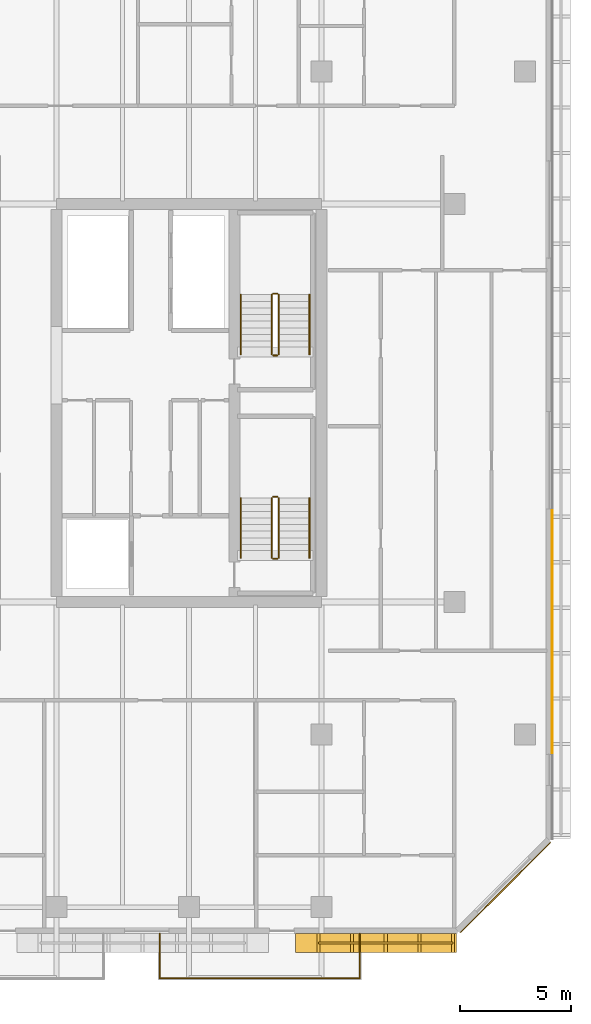
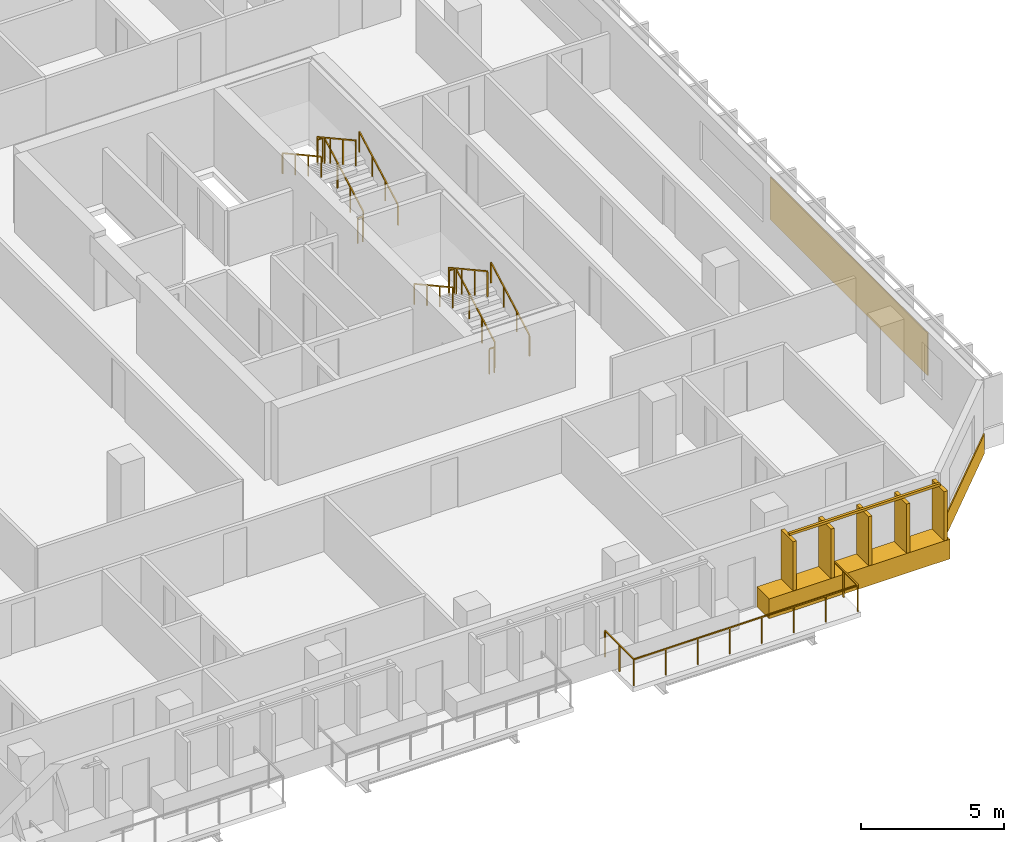
# One storey, part 22 of 23: 14 railings, 3 coverings.
"""IFC4 building model written with IfcOpenShell, lengths in metres."""

from ifc_helpers import new_model, si_unit, direction, frame, origin, origin_2d, place, context, subcontext, project, spatial, rectangle, extrude, material, layer, layer_set, type_object, element, save


model = new_model("IFC4")

# Units and contexts
model_context = context("Model", 3, precision=1e-05, world=origin(), true_north=direction((0.0, 1.0)))
body_context = subcontext(model_context, "Body", "Model", "MODEL_VIEW")
ifc_project = project(units=[si_unit("LENGTHUNIT", "METRE"), si_unit("AREAUNIT", "SQUARE_METRE"), si_unit("VOLUMEUNIT", "CUBIC_METRE"), si_unit("PLANEANGLEUNIT", "RADIAN"), si_unit("MASSUNIT", "GRAM", prefix="KILO")], contexts=[model_context])

# Site, building, storey
site_placement = place(None, origin())
site = spatial("IfcSite", under=ifc_project, at=site_placement, CompositionType="ELEMENT")
building_placement = place(site_placement, origin())
building = spatial("IfcBuilding", under=site, at=building_placement, Name="Tanjung Sevakor Pilgrim Tower", CompositionType="ELEMENT")
storey_placement = place(building_placement, frame((0.0, 0.0, 105.27001953125)))
storey = spatial("IfcBuildingStorey", under=building, at=storey_placement, Name="L29", CompositionType="ELEMENT", Elevation=105.27001953125)

# Coverings
ifc_material_1 = material(Name="Reconstructed Limestone Cladding", Category="masonry")
ifc_layer = layer(ifc_material_1, 0.044921875)
ifc_layer_set = layer_set([ifc_layer], Name="COV-CLAD-LIMESTONE")
covering_type = type_object("IfcCoveringType", Name="COV-CLAD-LIMESTONE", PredefinedType="CLADDING", material=ifc_layer_set)
covering_1_placement = place(storey_placement, frame((92.458984375, 9.169921875, 0.009765625), z_axis=(0.0, 0.0, 1.0), x_axis=(1.0, 0.0, 0.0)))
element("IfcCovering", 1, at=covering_1_placement, inside=storey, type_object=covering_type, Name="L29 Warm Limestone Sill Spandrel EW-L29-MAIN-5-4", PredefinedType="CLADDING", context=body_context, shape_type="SweptSolid", body=[
    extrude(rectangle(XDim=7.298095703125, YDim=0.860107421875, at=origin_2d()), origin(), (0.0, 0.0, 1.0), 0.840087890625),
])
covering_2_placement = place(storey_placement, frame((98.31591796875, 11.68408203125, 0.009765625), z_axis=(0.0, 0.0, 1.0), x_axis=(0.707106781187, 0.707106781187, 0.0)))
element("IfcCovering", 2, at=covering_2_placement, inside=storey, type_object=covering_type, Name="L29 Warm Limestone Sill Spandrel EW-CHM-L29-MAIN-5-1", PredefinedType="CLADDING", context=body_context, shape_type="SweptSolid", body=[
    extrude(rectangle(XDim=5.756103515625, YDim=0.044921875, at=origin_2d()), origin(), (0.0, 0.0, 1.0), 0.840087890625),
])
covering_3_placement = place(storey_placement, frame((100.422607421875, 23.258056640625, 0.849853515625), z_axis=(0.0, 0.0, 1.0), x_axis=(0.0, 1.0, 0.0)))
element("IfcCovering", 3, at=covering_3_placement, inside=storey, type_object=covering_type, Name="L29 Warm Limestone Pier Panel EW-L29-MAIN-7-1", PredefinedType="CLADDING", context=body_context, shape_type="SweptSolid", body=[
    extrude(rectangle(XDim=11.004150390625, YDim=0.044921875, at=origin_2d()), origin(), (0.0, 0.0, 1.0), 1.81005859375),
])

# Railings
ifc_material_2 = material(Name="Laminated Glass and Aluminium", Category="aluminium")
railing_type_1 = type_object("IfcRailingType", Name="RL-BAL-BALUST", PredefinedType="BALUSTRADE", material=ifc_material_2)
railing_1_placement = place(storey_placement, frame((82.679931640625, 9.60009765625, 0.0)))
element("IfcRailing", 4, at=railing_1_placement, inside=storey, type_object=railing_type_1, Name="L29 Loggia Balustrade MAIN-S4", PredefinedType="BALUSTRADE", context=body_context, shape_type="SweptSolid", body=[
    extrude(rectangle(XDim=0.0479, YDim=0.0479), frame((0.0, 0.0, 1.1259765625), z_axis=(0.0, -1.0, 0.0), x_axis=(1.0, 0.0, 0.0)), (0.0, 0.0, 1.0), 2.02001953125),
    extrude(rectangle(XDim=0.0479, YDim=0.0479), frame((0.0, -2.02001953125, 1.1259765625), z_axis=(1.0, 0.0, 0.0), x_axis=(0.0, 1.0, 0.0)), (0.0, 0.0, 1.0), 9.0400390625),
    extrude(rectangle(XDim=0.0479, YDim=0.0479), frame((9.0400390625, -2.02001953125, 1.1259765625), z_axis=(0.0, 1.0, 0.0), x_axis=(-1.0, 0.0, 0.0)), (0.0, 0.0, 1.0), 2.02001953125),
    extrude(rectangle(XDim=0.042, YDim=0.042), origin(), (0.0, 0.0, 1.0), 1.101806640625),
    extrude(rectangle(XDim=0.042, YDim=0.042), frame((0.0, -1.010009765625, 0.0)), (0.0, 0.0, 1.0), 1.101806640625),
    extrude(rectangle(XDim=0.042, YDim=0.042), frame((0.0, -2.02001953125, 0.0)), (0.0, 0.0, 1.0), 1.101806640625),
    extrude(rectangle(XDim=0.042, YDim=0.042), frame((1.29150390625, -2.02001953125, 0.0)), (0.0, 0.0, 1.0), 1.101806640625),
    extrude(rectangle(XDim=0.042, YDim=0.042), frame((2.582763671875, -2.02001953125, 0.0)), (0.0, 0.0, 1.0), 1.101806640625),
    extrude(rectangle(XDim=0.042, YDim=0.042), frame((3.874267578125, -2.02001953125, 0.0)), (0.0, 0.0, 1.0), 1.101806640625),
    extrude(rectangle(XDim=0.042, YDim=0.042), frame((5.165771484375, -2.02001953125, 0.0)), (0.0, 0.0, 1.0), 1.101806640625),
    extrude(rectangle(XDim=0.042, YDim=0.042), frame((6.457275390625, -2.02001953125, 0.0)), (0.0, 0.0, 1.0), 1.101806640625),
    extrude(rectangle(XDim=0.042, YDim=0.042), frame((7.74853515625, -2.02001953125, 0.0)), (0.0, 0.0, 1.0), 1.101806640625),
    extrude(rectangle(XDim=0.042, YDim=0.042), frame((9.0400390625, -2.02001953125, 0.0)), (0.0, 0.0, 1.0), 1.101806640625),
    extrude(rectangle(XDim=0.042, YDim=0.042), frame((9.0400390625, -1.010009765625, 0.0)), (0.0, 0.0, 1.0), 1.101806640625),
    extrude(rectangle(XDim=0.042, YDim=0.042), frame((9.0400390625, 0.0, 0.0)), (0.0, 0.0, 1.0), 1.101806640625),
])
ifc_material_3 = material(Name="Anodised Bronze Aluminium 6063-T6", Category="aluminium")
railing_type_2 = type_object("IfcRailingType", Name="RL-FIN-SCREEN", PredefinedType="BALUSTRADE", material=ifc_material_3)
railing_2_placement = place(storey_placement, frame((89.85009765625, 9.175048828125, 0.840087890625)))
element("IfcRailing", 5, at=railing_2_placement, inside=storey, type_object=railing_type_2, Name="L29 Vertical Bronze-Gold Solar Fin Screen FNSCR-EW-L29-MAIN-5-4", PredefinedType="BALUSTRADE", context=body_context, shape_type="SweptSolid", body=[
    extrude(rectangle(XDim=0.105, YDim=0.105), frame((0.0, 0.0, 2.157470703125), z_axis=(1.0, 0.0, 0.0), x_axis=(0.0, 1.0, 0.0)), (0.0, 0.0, 1.0), 6.09814453125),
    extrude(rectangle(XDim=0.14, YDim=0.85), origin(), (0.0, 0.0, 1.0), 2.10498046875),
    extrude(rectangle(XDim=0.14, YDim=0.85), frame((1.5244140625, 0.0, 0.0)), (0.0, 0.0, 1.0), 2.10498046875),
    extrude(rectangle(XDim=0.14, YDim=0.85), frame((3.049072265625, 0.0, 0.0)), (0.0, 0.0, 1.0), 2.10498046875),
    extrude(rectangle(XDim=0.14, YDim=0.85), frame((4.57373046875, 0.0, 0.0)), (0.0, 0.0, 1.0), 2.10498046875),
    extrude(rectangle(XDim=0.14, YDim=0.85), frame((6.09814453125, 0.0, 0.0)), (0.0, 0.0, 1.0), 2.10498046875),
])
ifc_material_4 = material(Name="Steel S355J2", Category="steel")
railing_type_3 = type_object("IfcRailingType", Name="RL-STAIR-GUARD", PredefinedType="GUARDRAIL", material=ifc_material_4)
railing_3_placement = place(storey_placement, frame((88.050048828125, 26.60009765625, 0.1650390625)))
element("IfcRailing", 6, at=railing_3_placement, inside=storey, type_object=railing_type_3, Name="L29 TS-E1 stair guard 1", PredefinedType="GUARDRAIL", context=body_context, shape_type="SweptSolid", body=[
    extrude(rectangle(XDim=0.0479, YDim=0.0479), frame((0.0, 0.0, 1.076171875), z_axis=(0.0, 0.876230963923, 0.481891375584), x_axis=(-1.0, 0.0, 0.0)), (0.0, 0.0, 1.0), 3.081298828125),
    extrude(rectangle(XDim=0.042, YDim=0.042), origin(), (0.0, 0.0, 1.0), 1.052001953125),
    extrude(rectangle(XDim=0.042, YDim=0.042), frame((0.0, 0.89990234375, 0.494873046875)), (0.0, 0.0, 1.0), 1.052001953125),
    extrude(rectangle(XDim=0.042, YDim=0.042), frame((0.0, 1.800048828125, 0.989990234375)), (0.0, 0.0, 1.0), 1.052001953125),
    extrude(rectangle(XDim=0.042, YDim=0.042), frame((0.0, 2.699951171875, 1.48486328125)), (0.0, 0.0, 1.0), 1.052001953125),
])
railing_4_placement = place(storey_placement, frame((88.0, 29.35009765625, 1.64990234375)))
element("IfcRailing", 7, at=railing_4_placement, inside=storey, type_object=railing_type_3, Name="L29 TS-E1 stair guard 2", PredefinedType="GUARDRAIL", context=body_context, shape_type="SweptSolid", body=[
    extrude(rectangle(XDim=0.0479, YDim=0.0479), frame((0.0, 0.0, 1.076171875), z_axis=(-1.0, 0.0, 0.0), x_axis=(0.0, -1.0, 0.0)), (0.0, 0.0, 1.0), 0.199951171875),
    extrude(rectangle(XDim=0.042, YDim=0.042), origin(), (0.0, 0.0, 1.0), 1.052001953125),
    extrude(rectangle(XDim=0.042, YDim=0.042), frame((-0.199951171875, 0.0, 0.0)), (0.0, 0.0, 1.0), 1.052001953125),
])
railing_5_placement = place(storey_placement, frame((87.75, 29.300048828125, 1.81494140625)))
element("IfcRailing", 8, at=railing_5_placement, inside=storey, type_object=railing_type_3, Name="L29 TS-E1 stair guard 3", PredefinedType="GUARDRAIL", context=body_context, shape_type="SweptSolid", body=[
    extrude(rectangle(XDim=0.0479, YDim=0.0479), frame((0.0, 0.0, 1.076171875), z_axis=(0.0, -0.876197507361, 0.481952205197), x_axis=(1.0, 0.0, 0.0)), (0.0, 0.0, 1.0), 3.08154296875),
    extrude(rectangle(XDim=0.042, YDim=0.042), origin(), (0.0, 0.0, 1.0), 1.052001953125),
    extrude(rectangle(XDim=0.042, YDim=0.042), frame((0.0, -0.89990234375, 0.4951171875)), (0.0, 0.0, 1.0), 1.052001953125),
    extrude(rectangle(XDim=0.042, YDim=0.042), frame((0.0, -1.800048828125, 0.989990234375)), (0.0, 0.0, 1.0), 1.052001953125),
    extrude(rectangle(XDim=0.042, YDim=0.042), frame((0.0, -2.699951171875, 1.485107421875)), (0.0, 0.0, 1.0), 1.052001953125),
])
railing_6_placement = place(storey_placement, frame((88.0, 26.550048828125, 0.0)))
element("IfcRailing", 9, at=railing_6_placement, inside=storey, type_object=railing_type_3, Name="L29 TS-E1 stair guard 4", PredefinedType="GUARDRAIL", context=body_context, shape_type="SweptSolid", body=[
    extrude(rectangle(XDim=0.0479, YDim=0.0479), frame((0.0, 0.0, 1.076171875), z_axis=(-1.0, 0.0, 0.0), x_axis=(0.0, -1.0, 0.0)), (0.0, 0.0, 1.0), 0.199951171875),
    extrude(rectangle(XDim=0.042, YDim=0.042), origin(), (0.0, 0.0, 1.0), 1.052001953125),
    extrude(rectangle(XDim=0.042, YDim=0.042), frame((-0.199951171875, 0.0, 0.0)), (0.0, 0.0, 1.0), 1.052001953125),
])
railing_7_placement = place(storey_placement, frame((88.050048828125, 35.800048828125, 0.1650390625)))
element("IfcRailing", 10, at=railing_7_placement, inside=storey, type_object=railing_type_3, Name="L29 TS-E2 stair guard 1", PredefinedType="GUARDRAIL", context=body_context, shape_type="SweptSolid", body=[
    extrude(rectangle(XDim=0.0479, YDim=0.0479), frame((0.0, 0.0, 1.076171875), z_axis=(0.0, 0.876230963923, 0.481891375584), x_axis=(-1.0, 0.0, 0.0)), (0.0, 0.0, 1.0), 3.081298828125),
    extrude(rectangle(XDim=0.042, YDim=0.042), origin(), (0.0, 0.0, 1.0), 1.052001953125),
    extrude(rectangle(XDim=0.042, YDim=0.042), frame((0.0, 0.89990234375, 0.494873046875)), (0.0, 0.0, 1.0), 1.052001953125),
    extrude(rectangle(XDim=0.042, YDim=0.042), frame((0.0, 1.800048828125, 0.989990234375)), (0.0, 0.0, 1.0), 1.052001953125),
    extrude(rectangle(XDim=0.042, YDim=0.042), frame((0.0, 2.699951171875, 1.48486328125)), (0.0, 0.0, 1.0), 1.052001953125),
])
railing_8_placement = place(storey_placement, frame((88.0, 38.550048828125, 1.64990234375)))
element("IfcRailing", 11, at=railing_8_placement, inside=storey, type_object=railing_type_3, Name="L29 TS-E2 stair guard 2", PredefinedType="GUARDRAIL", context=body_context, shape_type="SweptSolid", body=[
    extrude(rectangle(XDim=0.0479, YDim=0.0479), frame((0.0, 0.0, 1.076171875), z_axis=(-1.0, 0.0, 0.0), x_axis=(0.0, -1.0, 0.0)), (0.0, 0.0, 1.0), 0.199951171875),
    extrude(rectangle(XDim=0.042, YDim=0.042), origin(), (0.0, 0.0, 1.0), 1.052001953125),
    extrude(rectangle(XDim=0.042, YDim=0.042), frame((-0.199951171875, 0.0, 0.0)), (0.0, 0.0, 1.0), 1.052001953125),
])
railing_9_placement = place(storey_placement, frame((87.75, 38.5, 1.81494140625)))
element("IfcRailing", 12, at=railing_9_placement, inside=storey, type_object=railing_type_3, Name="L29 TS-E2 stair guard 3", PredefinedType="GUARDRAIL", context=body_context, shape_type="SweptSolid", body=[
    extrude(rectangle(XDim=0.0479, YDim=0.0479), frame((0.0, 0.0, 1.076171875), z_axis=(0.0, -0.876197507361, 0.481952205197), x_axis=(1.0, 0.0, 0.0)), (0.0, 0.0, 1.0), 3.08154296875),
    extrude(rectangle(XDim=0.042, YDim=0.042), origin(), (0.0, 0.0, 1.0), 1.052001953125),
    extrude(rectangle(XDim=0.042, YDim=0.042), frame((0.0, -0.89990234375, 0.4951171875)), (0.0, 0.0, 1.0), 1.052001953125),
    extrude(rectangle(XDim=0.042, YDim=0.042), frame((0.0, -1.800048828125, 0.989990234375)), (0.0, 0.0, 1.0), 1.052001953125),
    extrude(rectangle(XDim=0.042, YDim=0.042), frame((0.0, -2.699951171875, 1.485107421875)), (0.0, 0.0, 1.0), 1.052001953125),
])
railing_10_placement = place(storey_placement, frame((88.0, 35.75, 0.0)))
element("IfcRailing", 13, at=railing_10_placement, inside=storey, type_object=railing_type_3, Name="L29 TS-E2 stair guard 4", PredefinedType="GUARDRAIL", context=body_context, shape_type="SweptSolid", body=[
    extrude(rectangle(XDim=0.0479, YDim=0.0479), frame((0.0, 0.0, 1.076171875), z_axis=(-1.0, 0.0, 0.0), x_axis=(0.0, -1.0, 0.0)), (0.0, 0.0, 1.0), 0.199951171875),
    extrude(rectangle(XDim=0.042, YDim=0.042), origin(), (0.0, 0.0, 1.0), 1.052001953125),
    extrude(rectangle(XDim=0.042, YDim=0.042), frame((-0.199951171875, 0.0, 0.0)), (0.0, 0.0, 1.0), 1.052001953125),
])
ifc_material_5 = material(Name="Steel S355J2", Category="steel")
railing_type_4 = type_object("IfcRailingType", Name="RL-STAIR-HAND", PredefinedType="HANDRAIL", material=ifc_material_5)
railing_11_placement = place(storey_placement, frame((89.449951171875, 26.60009765625, 0.1650390625)))
element("IfcRailing", 14, at=railing_11_placement, inside=storey, type_object=railing_type_4, Name="L29 TS-E1 stair handrail 1", PredefinedType="HANDRAIL", context=body_context, shape_type="SweptSolid", body=[
    extrude(rectangle(XDim=0.0479, YDim=0.0479), frame((0.0, 0.0, 0.8759765625), z_axis=(0.0, 0.876230963923, 0.481891375584), x_axis=(-1.0, 0.0, 0.0)), (0.0, 0.0, 1.0), 3.081298828125),
    extrude(rectangle(XDim=0.042, YDim=0.042), origin(), (0.0, 0.0, 1.0), 0.851806640625),
    extrude(rectangle(XDim=0.042, YDim=0.042), frame((0.0, 0.89990234375, 0.494873046875)), (0.0, 0.0, 1.0), 0.851806640625),
    extrude(rectangle(XDim=0.042, YDim=0.042), frame((0.0, 1.800048828125, 0.989990234375)), (0.0, 0.0, 1.0), 0.851806640625),
    extrude(rectangle(XDim=0.042, YDim=0.042), frame((0.0, 2.699951171875, 1.48486328125)), (0.0, 0.0, 1.0), 0.851806640625),
])
railing_12_placement = place(storey_placement, frame((86.35009765625, 29.300048828125, 1.81494140625)))
element("IfcRailing", 15, at=railing_12_placement, inside=storey, type_object=railing_type_4, Name="L29 TS-E1 stair handrail 2", PredefinedType="HANDRAIL", context=body_context, shape_type="SweptSolid", body=[
    extrude(rectangle(XDim=0.0479, YDim=0.0479), frame((0.0, 0.0, 0.8759765625), z_axis=(0.0, -0.876197507361, 0.481952205197), x_axis=(1.0, 0.0, 0.0)), (0.0, 0.0, 1.0), 3.08154296875),
    extrude(rectangle(XDim=0.042, YDim=0.042), origin(), (0.0, 0.0, 1.0), 0.851806640625),
    extrude(rectangle(XDim=0.042, YDim=0.042), frame((0.0, -0.89990234375, 0.4951171875)), (0.0, 0.0, 1.0), 0.851806640625),
    extrude(rectangle(XDim=0.042, YDim=0.042), frame((0.0, -1.800048828125, 0.989990234375)), (0.0, 0.0, 1.0), 0.851806640625),
    extrude(rectangle(XDim=0.042, YDim=0.042), frame((0.0, -2.699951171875, 1.485107421875)), (0.0, 0.0, 1.0), 0.851806640625),
])
railing_13_placement = place(storey_placement, frame((89.449951171875, 35.800048828125, 0.1650390625)))
element("IfcRailing", 16, at=railing_13_placement, inside=storey, type_object=railing_type_4, Name="L29 TS-E2 stair handrail 1", PredefinedType="HANDRAIL", context=body_context, shape_type="SweptSolid", body=[
    extrude(rectangle(XDim=0.0479, YDim=0.0479), frame((0.0, 0.0, 0.8759765625), z_axis=(0.0, 0.876230963923, 0.481891375584), x_axis=(-1.0, 0.0, 0.0)), (0.0, 0.0, 1.0), 3.081298828125),
    extrude(rectangle(XDim=0.042, YDim=0.042), origin(), (0.0, 0.0, 1.0), 0.851806640625),
    extrude(rectangle(XDim=0.042, YDim=0.042), frame((0.0, 0.89990234375, 0.494873046875)), (0.0, 0.0, 1.0), 0.851806640625),
    extrude(rectangle(XDim=0.042, YDim=0.042), frame((0.0, 1.800048828125, 0.989990234375)), (0.0, 0.0, 1.0), 0.851806640625),
    extrude(rectangle(XDim=0.042, YDim=0.042), frame((0.0, 2.699951171875, 1.48486328125)), (0.0, 0.0, 1.0), 0.851806640625),
])
railing_14_placement = place(storey_placement, frame((86.35009765625, 38.5, 1.81494140625)))
element("IfcRailing", 17, at=railing_14_placement, inside=storey, type_object=railing_type_4, Name="L29 TS-E2 stair handrail 2", PredefinedType="HANDRAIL", context=body_context, shape_type="SweptSolid", body=[
    extrude(rectangle(XDim=0.0479, YDim=0.0479), frame((0.0, 0.0, 0.8759765625), z_axis=(0.0, -0.876197507361, 0.481952205197), x_axis=(1.0, 0.0, 0.0)), (0.0, 0.0, 1.0), 3.08154296875),
    extrude(rectangle(XDim=0.042, YDim=0.042), origin(), (0.0, 0.0, 1.0), 0.851806640625),
    extrude(rectangle(XDim=0.042, YDim=0.042), frame((0.0, -0.89990234375, 0.4951171875)), (0.0, 0.0, 1.0), 0.851806640625),
    extrude(rectangle(XDim=0.042, YDim=0.042), frame((0.0, -1.800048828125, 0.989990234375)), (0.0, 0.0, 1.0), 0.851806640625),
    extrude(rectangle(XDim=0.042, YDim=0.042), frame((0.0, -2.699951171875, 1.485107421875)), (0.0, 0.0, 1.0), 0.851806640625),
])

save(model, "model.ifc")
